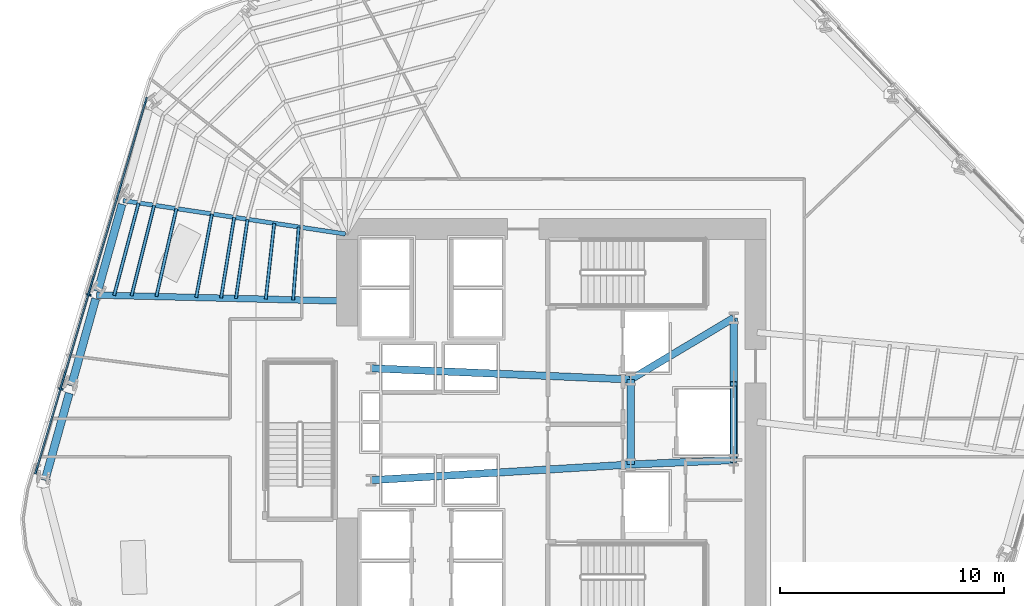
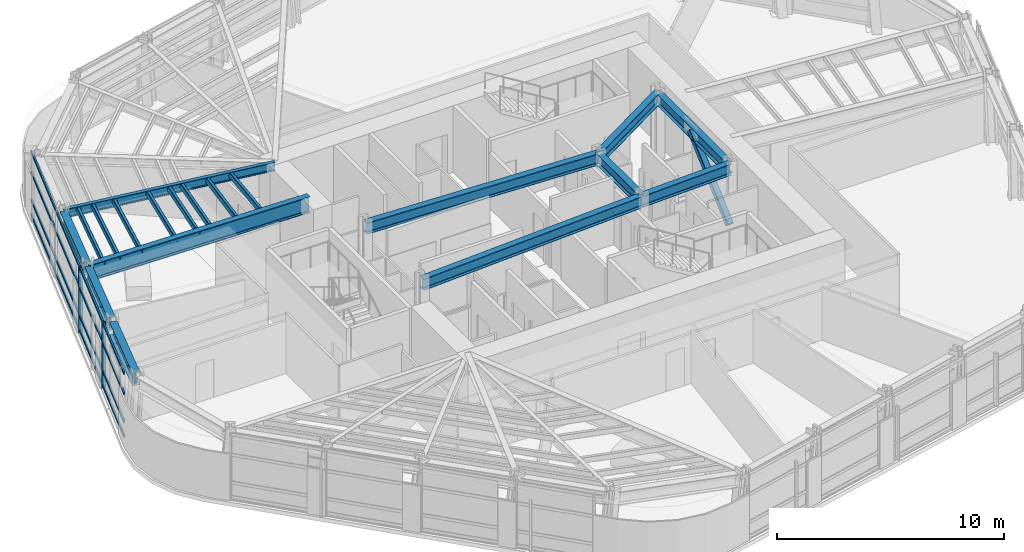
# One storey, part 4 of 17: 15 members, 11 beams, 1 element without a shape of its own.
"""IFC4 building model written with IfcOpenShell, lengths in metres."""

from ifc_helpers import new_model, si_unit, direction, frame, origin, origin_2d, place, context, subcontext, project, spatial, rectangle, hollow_rectangle, i_section, extrude, material, layer, layer_set, material_profile, profile_set, type_object, element, aggregate, save


model = new_model("IFC4")

# Units and contexts
model_context = context("Model", 3, precision=1e-05, world=origin(), true_north=direction((0.0, 1.0)))
body_context = subcontext(model_context, "Body", "Model", "MODEL_VIEW")
ifc_project = project(units=[si_unit("LENGTHUNIT", "METRE"), si_unit("AREAUNIT", "SQUARE_METRE"), si_unit("VOLUMEUNIT", "CUBIC_METRE"), si_unit("PLANEANGLEUNIT", "RADIAN"), si_unit("MASSUNIT", "GRAM", prefix="KILO")], contexts=[model_context])

# Site, building, storey
site_placement = place(None, origin())
site = spatial("IfcSite", under=ifc_project, at=site_placement, CompositionType="ELEMENT")
building_placement = place(site_placement, origin())
building = spatial("IfcBuilding", under=site, at=building_placement, Name="Valkerne Bourse Tower", CompositionType="ELEMENT")
storey_placement = place(building_placement, frame((0.0, 0.0, 82.0)))
storey = spatial("IfcBuildingStorey", under=building, at=storey_placement, Name="L20", CompositionType="ELEMENT", Elevation=82.0)

# Beams
ifc_material_1 = material(Name="Steel ASTM A992", Category="steel")
ifc_material_profile_1 = material_profile(ifc_material_1, i_section(OverallWidth=0.1904296875, OverallDepth=0.457275390625, WebThickness=0.009033203125, FlangeThickness=0.014404296875, FilletRadius=0.01513671875, at=origin_2d()), Name="W18X50")
ifc_profile_set_1 = profile_set([ifc_material_profile_1], Name="Steel ASTM A992")
beam_type_1 = type_object("IfcBeamType", Name="BM-W18X50", PredefinedType="JOIST", material=ifc_profile_set_1)
beam_1_placement = place(storey_placement, frame((27.667724609375, 36.892333984375, 3.351318359375), z_axis=(0.988898701027, -0.148591248418, 0.0), x_axis=(0.148591248418, 0.988898701027, 0.0)))
element("IfcBeam", 1, at=beam_1_placement, inside=storey, type_object=beam_type_1, Name="L20 Radial Composite Floor Beam 11", PredefinedType="JOIST", context=body_context, shape_type="SweptSolid", body=[
    extrude(i_section(OverallWidth=0.1904296875, OverallDepth=0.457275390625, WebThickness=0.009033203125, FlangeThickness=0.014404296875, FilletRadius=0.01513671875, at=origin_2d()), origin(), (0.0, 0.0, 1.0), 10.0439453125),
])
ifc_material_profile_2 = material_profile(ifc_material_1, i_section(OverallWidth=0.3251953125, OverallDepth=0.612060546875, WebThickness=0.0126953125, FlangeThickness=0.01904296875, FilletRadius=0.020263671875, at=origin_2d()), Name="W24X104")
ifc_profile_set_2 = profile_set([ifc_material_profile_2], Name="Steel ASTM A992")
beam_type_2 = type_object("IfcBeamType", Name="BM-W24X104", PredefinedType="BEAM", material=ifc_profile_set_2)
beam_2_placement = place(storey_placement, frame((50.35009765625, 25.10009765625, 3.27392578125), z_axis=(0.0, 1.0, 0.0), x_axis=(-1.0, 0.0, 0.0)))
element("IfcBeam", 2, at=beam_2_placement, inside=storey, type_object=beam_type_2, Name="L20 Core Frame Girder CG-CE", PredefinedType="BEAM", context=body_context, shape_type="SweptSolid", body=[
    extrude(i_section(OverallWidth=0.3251953125, OverallDepth=0.612060546875, WebThickness=0.0126953125, FlangeThickness=0.01904296875, FilletRadius=0.020263671875, at=origin_2d()), origin(), (0.0, 0.0, 1.0), 3.7998046875),
])
beam_3_placement = place(storey_placement, frame((50.35009765625, 25.10009765625, 3.27392578125), z_axis=(0.999056558506, 0.043428019819, 0.0), x_axis=(-0.043428019819, 0.999056558506, 0.0)))
element("IfcBeam", 3, at=beam_3_placement, inside=storey, type_object=beam_type_2, Name="L20 Core Frame Girder CG-SE", PredefinedType="BEAM", context=body_context, shape_type="SweptSolid", body=[
    extrude(i_section(OverallWidth=0.3251953125, OverallDepth=0.612060546875, WebThickness=0.0126953125, FlangeThickness=0.01904296875, FilletRadius=0.020263671875, at=origin_2d()), origin(), (0.0, 0.0, 1.0), 4.604248046875),
])
beam_4_placement = place(storey_placement, frame((50.35009765625, 28.89990234375, 3.27392578125), z_axis=(0.858307823492, 0.513135148019, 0.0), x_axis=(-0.513135148019, 0.858307823492, 0.0)))
element("IfcBeam", 4, at=beam_4_placement, inside=storey, type_object=beam_type_2, Name="L20 Core Frame Girder CG-NE", PredefinedType="BEAM", context=body_context, shape_type="SweptSolid", body=[
    extrude(i_section(OverallWidth=0.3251953125, OverallDepth=0.612060546875, WebThickness=0.0126953125, FlangeThickness=0.01904296875, FilletRadius=0.020263671875, at=origin_2d()), origin(), (0.0, 0.0, 1.0), 5.359130859375),
])
beam_5_placement = place(storey_placement, frame((54.949951171875, 25.300048828125, 3.27392578125), z_axis=(0.0, 1.0, 0.0), x_axis=(-1.0, 0.0, 0.0)))
element("IfcBeam", 5, at=beam_5_placement, inside=storey, type_object=beam_type_2, Name="L20 Core Frame Girder CG-EE", PredefinedType="BEAM", context=body_context, shape_type="SweptSolid", body=[
    extrude(i_section(OverallWidth=0.3251953125, OverallDepth=0.612060546875, WebThickness=0.0126953125, FlangeThickness=0.01904296875, FilletRadius=0.020263671875, at=origin_2d()), origin(), (0.0, 0.0, 1.0), 6.349853515625),
])
beam_6_placement = place(storey_placement, frame((38.75, 24.39990234375, 3.27392578125), z_axis=(0.998183228389, 0.060251494276, 0.0), x_axis=(-0.060251494276, 0.998183228389, 0.0)))
element("IfcBeam", 6, at=beam_6_placement, inside=storey, type_object=beam_type_2, Name="L20 Core Frame Girder CG-SW", PredefinedType="BEAM", context=body_context, shape_type="SweptSolid", body=[
    extrude(i_section(OverallWidth=0.3251953125, OverallDepth=0.612060546875, WebThickness=0.0126953125, FlangeThickness=0.01904296875, FilletRadius=0.020263671875, at=origin_2d()), origin(), (0.0, 0.0, 1.0), 11.62109375),
])
beam_7_placement = place(storey_placement, frame((38.75, 29.39990234375, 3.27392578125), z_axis=(0.999072354402, -0.043063101019, 0.0), x_axis=(0.043063101019, 0.999072354402, 0.0)))
element("IfcBeam", 7, at=beam_7_placement, inside=storey, type_object=beam_type_2, Name="L20 Core Frame Girder CG-NW", PredefinedType="BEAM", context=body_context, shape_type="SweptSolid", body=[
    extrude(i_section(OverallWidth=0.3251953125, OverallDepth=0.612060546875, WebThickness=0.0126953125, FlangeThickness=0.01904296875, FilletRadius=0.020263671875, at=origin_2d()), origin(), (0.0, 0.0, 1.0), 11.61083984375),
])
ifc_material_profile_3 = material_profile(ifc_material_1, i_section(OverallWidth=0.358154296875, OverallDepth=0.7060546875, WebThickness=0.018310546875, FlangeThickness=0.0302734375, FilletRadius=0.02294921875, at=origin_2d()), Name="W27X178")
ifc_profile_set_3 = profile_set([ifc_material_profile_3], Name="Steel ASTM A992")
beam_type_3 = type_object("IfcBeamType", Name="BM-W27X178", PredefinedType="SPANDREL", material=ifc_profile_set_3)
for number, where, z_axis, x_axis, name in (
    (8, (27.6220703125, 36.728759765625, 3.22705078125), (-0.268901893303, -0.963167572013, 0.0), (0.963167572013, -0.268901893303, 0.0), "L20 Hexagonal Spandrel Ring Beam 11"),
    (9, (26.443359375, 32.507080078125, 3.22705078125), (-0.268901893303, -0.963167572013, 0.0), (0.963167572013, -0.268901893303, 0.0), "L20 Hexagonal Spandrel Ring Beam 12"),
    (10, (25.2646484375, 28.28564453125, 3.22705078125), (-0.268901893303, -0.963167572013, 0.0), (0.963167572013, -0.268901893303, 0.0), "L20 Hexagonal Spandrel Ring Beam 13"),
):
    element("IfcBeam", number, at=place(storey_placement, frame(where, z_axis=z_axis, x_axis=x_axis)), inside=storey, type_object=beam_type_3, Name=name, PredefinedType="SPANDREL", context=body_context, shape_type="SweptSolid", body=[
        extrude(i_section(OverallWidth=0.358154296875, OverallDepth=0.7060546875, WebThickness=0.018310546875, FlangeThickness=0.0302734375, FilletRadius=0.02294921875, at=origin_2d()), origin(), (0.0, 0.0, 1.0), 4.04296875),
    ])
ifc_material_profile_4 = material_profile(ifc_material_1, i_section(OverallWidth=0.2919921875, OverallDepth=0.8583984375, WebThickness=0.01708984375, FlangeThickness=0.031005859375, FilletRadius=0.025390625, at=origin_2d()), Name="W33X169")
ifc_profile_set_4 = profile_set([ifc_material_profile_4], Name="Steel ASTM A992")
beam_type_4 = type_object("IfcBeamType", Name="BM-W33X169", PredefinedType="BEAM", material=ifc_profile_set_4)
beam_8_placement = place(storey_placement, frame((26.489013671875, 32.6708984375, 3.15087890625), z_axis=(0.999702703702, -0.024382457013, 0.0), x_axis=(0.024382457013, 0.999702703702, 0.0)))
element("IfcBeam", 11, at=beam_8_placement, inside=storey, type_object=beam_type_4, Name="L20 Radial Composite Floor Beam 12", PredefinedType="BEAM", context=body_context, shape_type="SweptSolid", body=[
    extrude(i_section(OverallWidth=0.2919921875, OverallDepth=0.8583984375, WebThickness=0.01708984375, FlangeThickness=0.031005859375, FilletRadius=0.025390625, at=origin_2d()), origin(), (0.0, 0.0, 1.0), 11.114501953125),
])

# Curtain wall, members
ifc_material_2 = material(Name="Aluminium AA 6063-T6", Category="aluminium")
ifc_layer = layer(ifc_material_2, 0.22998046875)
ifc_layer_set = layer_set([ifc_layer], Name="Aluminium AA 6063-T6")
curtain_wall_type = type_object("IfcCurtainWallType", Name="CW-02", PredefinedType="NOTDEFINED", material=ifc_layer_set)
curtain_wall_placement = place(storey_placement, origin())
curtain_wall = element("IfcCurtainWall", 12, at=curtain_wall_placement, inside=storey, type_object=curtain_wall_type, Name="L20 Hexagonal Stick Curtain Wall Face 3", PredefinedType="NOTDEFINED")
ifc_material_profile_5 = material_profile(ifc_material_2, rectangle(XDim=0.074951171875, YDim=0.199951171875, at=origin_2d()), Name="CWM-75X200")
ifc_profile_set_5 = profile_set([ifc_material_profile_5], Name="Aluminium AA 6063-T6")
member_type_1 = type_object("IfcMemberType", Name="CW-MUL-220X75", PredefinedType="MULLION", material=ifc_profile_set_5)
member_1_placement = place(storey_placement, frame((26.135498046875, 32.68310546875, 0.0), z_axis=(0.0, 0.0, 1.0), x_axis=(-0.284028514325, -0.95881583375, 0.0)))
member_1 = element("IfcMember", 13, at=member_1_placement, type_object=member_type_1, Name="CW-L20-F3 Jamb Mullion 02A", PredefinedType="MULLION", context=body_context, shape_type="SweptSolid", body=[
    extrude(rectangle(XDim=0.074951171875, YDim=0.199951171875, at=origin_2d()), origin(), (0.0, 0.0, 1.0), 3.580078125),
])
member_2_placement = place(storey_placement, frame((24.890380859375, 28.480712890625, 0.0), z_axis=(0.0, 0.0, 1.0), x_axis=(-0.28400753931, -0.958822046897, 0.0)))
member_2 = element("IfcMember", 14, at=member_2_placement, type_object=member_type_1, Name="CW-L20-F3 Jamb Mullion 03A", PredefinedType="MULLION", context=body_context, shape_type="SweptSolid", body=[
    extrude(rectangle(XDim=0.074951171875, YDim=0.199951171875, at=origin_2d()), origin(), (0.0, 0.0, 1.0), 3.580078125),
])
ifc_material_profile_6 = material_profile(ifc_material_2, rectangle(XDim=0.074951171875, YDim=0.14990234375, at=origin_2d()), Name="CWT-75X150")
ifc_profile_set_6 = profile_set([ifc_material_profile_6], Name="Aluminium AA 6063-T6")
member_type_2 = type_object("IfcMemberType", Name="CW-TRN-180X65", PredefinedType="USERDEFINED", material=ifc_profile_set_6)
member_3_placement = place(storey_placement, frame((28.72509765625, 41.496337890625, 0.1201171875), z_axis=(-0.284009148691, -0.958821570189, 0.0), x_axis=(0.958821570189, -0.284009148691, 0.0)))
member_3 = element("IfcMember", 15, at=member_3_placement, type_object=member_type_2, Name="CW-L20-F3 Continuous Face Transom 1", ObjectType="TRANSOM", PredefinedType="USERDEFINED", context=body_context, shape_type="SweptSolid", body=[
    extrude(rectangle(XDim=0.074951171875, YDim=0.14990234375, at=origin_2d()), origin(), (0.0, 0.0, 1.0), 17.531982421875),
])
member_4_placement = place(storey_placement, frame((28.72509765625, 41.496337890625, 0.89990234375), z_axis=(-0.284009148691, -0.958821570189, 0.0), x_axis=(0.958821570189, -0.284009148691, 0.0)))
member_4 = element("IfcMember", 16, at=member_4_placement, type_object=member_type_2, Name="CW-L20-F3 Continuous Face Transom 2", ObjectType="TRANSOM", PredefinedType="USERDEFINED", context=body_context, shape_type="SweptSolid", body=[
    extrude(rectangle(XDim=0.074951171875, YDim=0.14990234375, at=origin_2d()), origin(), (0.0, 0.0, 1.0), 17.531982421875),
])
member_5_placement = place(storey_placement, frame((28.72509765625, 41.496337890625, 2.39990234375), z_axis=(-0.284009148691, -0.958821570189, 0.0), x_axis=(0.958821570189, -0.284009148691, 0.0)))
member_5 = element("IfcMember", 17, at=member_5_placement, type_object=member_type_2, Name="CW-L20-F3 Continuous Face Transom 3", ObjectType="TRANSOM", PredefinedType="USERDEFINED", context=body_context, shape_type="SweptSolid", body=[
    extrude(rectangle(XDim=0.074951171875, YDim=0.14990234375, at=origin_2d()), origin(), (0.0, 0.0, 1.0), 17.531982421875),
])
member_6_placement = place(storey_placement, frame((28.72509765625, 41.496337890625, 3.5), z_axis=(-0.284009148691, -0.958821570189, 0.0), x_axis=(0.958821570189, -0.284009148691, 0.0)))
member_6 = element("IfcMember", 18, at=member_6_placement, type_object=member_type_2, Name="CW-L20-F3 Continuous Face Transom 4", ObjectType="TRANSOM", PredefinedType="USERDEFINED", context=body_context, shape_type="SweptSolid", body=[
    extrude(rectangle(XDim=0.074951171875, YDim=0.14990234375, at=origin_2d()), origin(), (0.0, 0.0, 1.0), 17.531982421875),
])
aggregate(curtain_wall, [member_3, member_4, member_5, member_6, member_1, member_2])

# Members
ifc_material_3 = material(Name="Steel ASTM A500 Grade C", Category="steel")
ifc_material_profile_7 = material_profile(ifc_material_3, hollow_rectangle(XDim=0.14990234375, YDim=0.300048828125, WallThickness=0.012451171875, OuterFilletRadius=0.02490234375, at=origin_2d()), Name="HSS300X150X12.5")
ifc_profile_set_7 = profile_set([ifc_material_profile_7], Name="Steel ASTM A500 Grade C")
member_type_3 = type_object("IfcMemberType", Name="MBR-HSS300X150X12.5", PredefinedType="PURLIN", material=ifc_profile_set_7)
member_7_placement = place(storey_placement, frame((34.421630859375, 35.877685546875, 3.419921875), z_axis=(-0.11055718811, -0.993869764183, 0.0), x_axis=(0.993869764183, -0.11055718811, 0.0)))
element("IfcMember", 19, at=member_7_placement, inside=storey, type_object=member_type_3, Name="L20 Secondary Composite Floor Purlin I-11", PredefinedType="PURLIN", context=body_context, shape_type="SweptSolid", body=[
    extrude(hollow_rectangle(XDim=0.14990234375, YDim=0.300048828125, WallThickness=0.012451171875, OuterFilletRadius=0.02490234375, at=origin_2d()), origin(), (0.0, 0.0, 1.0), 3.411865234375),
])
member_8_placement = place(storey_placement, frame((33.229736328125, 36.056640625, 3.419921875), z_axis=(-0.145043771717, -0.989425239362, 0.0), x_axis=(0.989425239362, -0.145043771717, 0.0)))
element("IfcMember", 20, at=member_8_placement, inside=storey, type_object=member_type_3, Name="L20 Secondary Composite Floor Purlin K-11", PredefinedType="PURLIN", context=body_context, shape_type="SweptSolid", body=[
    extrude(hollow_rectangle(XDim=0.14990234375, YDim=0.300048828125, WallThickness=0.012451171875, OuterFilletRadius=0.02490234375, at=origin_2d()), origin(), (0.0, 0.0, 1.0), 3.5751953125),
])
member_9_placement = place(storey_placement, frame((32.6337890625, 36.146240234375, 3.419921875), z_axis=(-0.161021798589, -0.986950850032, 0.0), x_axis=(0.986950850032, -0.161021798589, 0.0)))
element("IfcMember", 21, at=member_9_placement, inside=storey, type_object=member_type_3, Name="L20 Secondary Composite Floor Purlin M-11", PredefinedType="PURLIN", context=body_context, shape_type="SweptSolid", body=[
    extrude(hollow_rectangle(XDim=0.14990234375, YDim=0.300048828125, WallThickness=0.012451171875, OuterFilletRadius=0.02490234375, at=origin_2d()), origin(), (0.0, 0.0, 1.0), 3.65869140625),
])
member_10_placement = place(storey_placement, frame((30.051513671875, 36.5341796875, 3.419921875), z_axis=(-0.222322947842, -0.974973080071, 0.0), x_axis=(0.974973080071, -0.222322947842, 0.0)))
element("IfcMember", 22, at=member_10_placement, inside=storey, type_object=member_type_3, Name="L20 Secondary Composite Floor Purlin O-11", PredefinedType="PURLIN", context=body_context, shape_type="SweptSolid", body=[
    extrude(hollow_rectangle(XDim=0.14990234375, YDim=0.300048828125, WallThickness=0.012451171875, OuterFilletRadius=0.02490234375, at=origin_2d()), origin(), (0.0, 0.0, 1.0), 4.029052734375),
])
member_11_placement = place(storey_placement, frame((31.640625, 36.29541015625, 3.419921875), z_axis=(-0.18609622578, -0.98253152354, 0.0), x_axis=(0.98253152354, -0.18609622578, 0.0)))
element("IfcMember", 23, at=member_11_placement, inside=storey, type_object=member_type_3, Name="L20 Secondary Composite Floor Purlin Z-11", PredefinedType="PURLIN", context=body_context, shape_type="SweptSolid", body=[
    extrude(hollow_rectangle(XDim=0.14990234375, YDim=0.300048828125, WallThickness=0.012451171875, OuterFilletRadius=0.02490234375, at=origin_2d()), origin(), (0.0, 0.0, 1.0), 3.79931640625),
])
member_12_placement = place(storey_placement, frame((35.51416015625, 35.71337890625, 3.419921875), z_axis=(-0.075798998526, -0.997123117685, 0.0), x_axis=(0.997123117685, -0.075798998526, 0.0)))
element("IfcMember", 24, at=member_12_placement, inside=storey, type_object=member_type_3, Name="L20 Secondary Composite Floor Purlin S-11", PredefinedType="PURLIN", context=body_context, shape_type="SweptSolid", body=[
    extrude(hollow_rectangle(XDim=0.14990234375, YDim=0.300048828125, WallThickness=0.012451171875, OuterFilletRadius=0.02490234375, at=origin_2d()), origin(), (0.0, 0.0, 1.0), 3.265869140625),
])
member_13_placement = place(storey_placement, frame((29.058349609375, 36.68359375, 3.419921875), z_axis=(-0.242769499973, -0.970084001457, 0.0), x_axis=(0.970084001457, -0.242769499973, 0.0)))
element("IfcMember", 25, at=member_13_placement, inside=storey, type_object=member_type_3, Name="L20 Secondary Composite Floor Purlin T-11", PredefinedType="PURLIN", context=body_context, shape_type="SweptSolid", body=[
    extrude(hollow_rectangle(XDim=0.14990234375, YDim=0.300048828125, WallThickness=0.012451171875, OuterFilletRadius=0.02490234375, at=origin_2d()), origin(), (0.0, 0.0, 1.0), 4.175537109375),
])
member_14_placement = place(storey_placement, frame((28.363037109375, 36.787841796875, 3.419921875), z_axis=(-0.256192092956, -0.966625890149, 0.0), x_axis=(0.966625890149, -0.256192092956, 0.0)))
element("IfcMember", 26, at=member_14_placement, inside=storey, type_object=member_type_3, Name="L20 Secondary Composite Floor Purlin U-11", PredefinedType="PURLIN", context=body_context, shape_type="SweptSolid", body=[
    extrude(hollow_rectangle(XDim=0.14990234375, YDim=0.300048828125, WallThickness=0.012451171875, OuterFilletRadius=0.02490234375, at=origin_2d()), origin(), (0.0, 0.0, 1.0), 4.27880859375),
])
ifc_material_profile_8 = material_profile(ifc_material_3, hollow_rectangle(XDim=0.300048828125, YDim=0.300048828125, WallThickness=0.012451171875, OuterFilletRadius=0.02490234375, at=origin_2d()), Name="HSS300X300X12.5")
ifc_profile_set_8 = profile_set([ifc_material_profile_8], Name="Steel ASTM A500 Grade C")
member_type_4 = type_object("IfcMemberType", Name="MBR-HSS300X300X12.5", PredefinedType="STRUT", material=ifc_profile_set_8)
member_15_placement = place(storey_placement, frame((54.949951171875, 25.300048828125, 0.219970703125), z_axis=(0.0, 0.743941933778, 0.668244266094), x_axis=(-1.0, 0.0, 0.0)))
element("IfcMember", 27, at=member_15_placement, inside=storey, type_object=member_type_4, Name="L20 Core Service Pier Lateral Brace", PredefinedType="STRUT", context=body_context, shape_type="SweptSolid", body=[
    extrude(hollow_rectangle(XDim=0.300048828125, YDim=0.300048828125, WallThickness=0.012451171875, OuterFilletRadius=0.02490234375, at=origin_2d()), origin(), (0.0, 0.0, 1.0), 4.570068359375),
])

save(model, "model.ifc")
